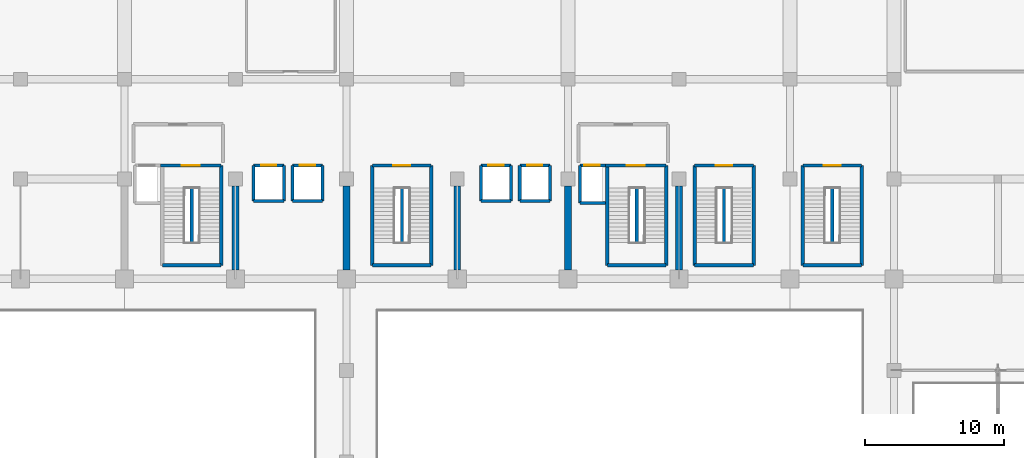
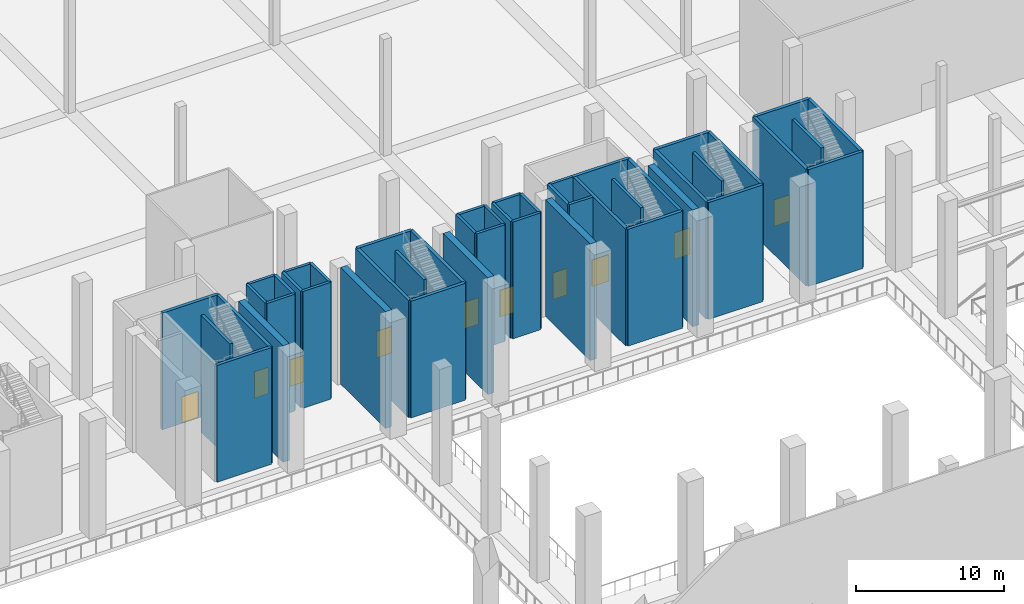
# One storey, part 65 of 80: 48 walls, 10 doors, 10 openings.
"""IFC4 building model written with IfcOpenShell, lengths in metres."""

from ifc_helpers import new_model, si_unit, direction, frame, frame_2d, origin, place, context, subcontext, project, spatial, rectangle, extrude, material, layer, layer_set, type_object, element, fill, save


model = new_model("IFC4")

# Units and contexts
model_context = context("Model", 3, precision=1e-05, world=origin(), true_north=direction((0.0, 1.0)))
body_context = subcontext(model_context, "Body", "Model", "MODEL_VIEW")
ifc_project = project(units=[si_unit("LENGTHUNIT", "METRE"), si_unit("AREAUNIT", "SQUARE_METRE"), si_unit("VOLUMEUNIT", "CUBIC_METRE"), si_unit("PLANEANGLEUNIT", "RADIAN"), si_unit("MASSUNIT", "GRAM", prefix="KILO")], contexts=[model_context])

# Site, building, storey
site_placement = place(None, origin())
site = spatial("IfcSite", under=ifc_project, at=site_placement, CompositionType="ELEMENT")
building_placement = place(site_placement, origin())
building = spatial("IfcBuilding", under=site, at=building_placement, Name="Akrevak Sports Hall", CompositionType="ELEMENT")
storey_placement = place(building_placement, frame((0.0, 0.0, 14.0)))
storey = spatial("IfcBuildingStorey", under=building, at=storey_placement, Name="L03", CompositionType="ELEMENT", Elevation=14.0)

# Walls
ifc_material_1 = material(Name="Concrete C40/50", Category="concrete")
ifc_layer_1 = layer(ifc_material_1, 0.219970703125, Name="Concrete C40/50")
ifc_layer_set_1 = layer_set([ifc_layer_1], Name="Concrete C40/50")
wall_type_1 = type_object("IfcWallType", Name="ARC-WL-PRT-220", PredefinedType="PARTITIONING", material=ifc_layer_set_1)
for number, where, z_axis, x_axis, name in (
    (1, (64.85009765625, 57.81494140625, 0.0), (0.0, 0.0, 1.0), (0.0, 1.0, 0.0), "Stair ST1 Central Spine Wall (L03)"),
    (2, (96.949951171875, 57.81494140625, 0.0), (0.0, 0.0, 1.0), (0.0, 1.0, 0.0), "Stair ST2 Central Spine Wall (L03)"),
    (3, (80.0, 57.81494140625, 0.0), (0.0, 0.0, 1.0), (0.0, 1.0, 0.0), "Stair ST3 Central Spine Wall (L03)"),
    (4, (103.25, 57.81494140625, 0.0), (0.0, 0.0, 1.0), (0.0, 1.0, 0.0), "Stair ST10 Central Spine Wall (L03)"),
    (5, (111.050048828125, 57.81494140625, 0.0), (0.0, 0.0, 1.0), (0.0, 1.0, 0.0), "Stair ST11 Central Spine Wall (L03)"),
):
    element("IfcWall", number, at=place(storey_placement, frame(where, z_axis=z_axis, x_axis=x_axis)), inside=storey, type_object=wall_type_1, Name=name, PredefinedType="PARTITIONING", context=body_context, shape_type="SweptSolid", body=[
        extrude(rectangle(XDim=3.920166015625, YDim=0.219970703125, at=frame_2d((1.9599609375, 0.0))), origin(), (0.0, 0.0, 1.0), 9.64990234375),
    ])
ifc_material_2 = material(Name="Concrete C50/60", Category="concrete")
ifc_layer_2 = layer(ifc_material_2, 0.219970703125, Name="Concrete C50/60")
ifc_layer_set_2 = layer_set([ifc_layer_2], Name="Concrete C50/60")
wall_type_2 = type_object("IfcWallType", Name="ARC-WL-SHAFT-220", PredefinedType="SHEAR", material=ifc_layer_set_2)
wall_1_placement = place(storey_placement, frame((92.860107421875, 60.659912109375, 0.0), z_axis=(0.0, 0.0, 1.0), x_axis=(1.0, 0.0, 0.0)))
element("IfcWall", 6, at=wall_1_placement, inside=storey, type_object=wall_type_2, Name="Lift Shaft LF-FF2 Wall S (L03)", PredefinedType="SHEAR", context=body_context, shape_type="SweptSolid", body=[
    extrude(rectangle(XDim=1.83984375, YDim=0.219970703125, at=frame_2d((0.919921875, 0.0))), origin(), (0.0, 0.0, 1.0), 9.64990234375),
])

# Wall, opening, door
wall_2_placement = place(storey_placement, frame((94.699951171875, 63.389892578125, 0.0), z_axis=(0.0, 0.0, 1.0), x_axis=(-1.0, 0.0, 0.0)))
wall_2 = element("IfcWall", 7, at=wall_2_placement, inside=storey, type_object=wall_type_2, Name="Lift Shaft LF-FF2 Wall N (L03)", PredefinedType="SHEAR", context=body_context, shape_type="SweptSolid", body=[
    extrude(rectangle(XDim=1.83984375, YDim=0.219970703125, at=frame_2d((0.919921875, 0.0))), origin(), (0.0, 0.0, 1.0), 9.64990234375),
])
opening_1_placement = place(wall_2_placement, frame((0.425048828125, 0.0, 0.0)))
opening_1 = element("IfcOpeningElement", 8, at=opening_1_placement, cuts=wall_2, Name="Opening LD-01", PredefinedType="OPENING", context=body_context, shape_type="SweptSolid", body=[
    extrude(rectangle(XDim=1.10009765625, YDim=2.199951171875, at=frame_2d((0.550048828125, 1.10009765625))), frame((0.0, 0.1220703125, 0.0), z_axis=(0.0, -1.0, 0.0), x_axis=(1.0, 0.0, 0.0)), (0.0, 0.0, 1.0), 0.243896484375),
])
ifc_material_3 = material(Name="Brushed Stainless Steel 304", Category="steel")
door_type_1 = type_object("IfcDoorType", Name="ARC-DR-LD-110x220", OperationType="SLIDING_TO_LEFT", PredefinedType="DOOR", material=ifc_material_3)
door_1_placement = place(opening_1_placement, origin())
door_1 = element("IfcDoor", 9, at=door_1_placement, inside=storey, type_object=door_type_1, Name="Lift LF-FF2 Sliding Landing Door (L03)", OperationType="SLIDING_TO_RIGHT", OverallHeight=2.199951171875, OverallWidth=1.10009765625, PredefinedType="DOOR", context=body_context, shape_type="SweptSolid", body=[
    extrude(rectangle(XDim=1.10009765625, YDim=2.199951171875, at=frame_2d((0.550048828125, 1.10009765625))), frame((0.0, 0.02490234375, 0.0), z_axis=(0.0, -1.0, 0.0), x_axis=(1.0, 0.0, 0.0)), (0.0, 0.0, 1.0), 0.050048828125),
])
fill(opening_1, door_1)

# Walls
wall_3_placement = place(storey_placement, frame((92.860107421875, 63.389892578125, 0.0), z_axis=(0.0, 0.0, 1.0), x_axis=(0.0, -1.0, 0.0)))
element("IfcWall", 10, at=wall_3_placement, inside=storey, type_object=wall_type_2, Name="Lift Shaft LF-FF2 Wall W (L03)", PredefinedType="SHEAR", context=body_context, shape_type="SweptSolid", body=[
    extrude(rectangle(XDim=2.72998046875, YDim=0.219970703125, at=frame_2d((1.364990234375, 0.0))), origin(), (0.0, 0.0, 1.0), 9.64990234375),
])
wall_4_placement = place(storey_placement, frame((69.31005859375, 60.81005859375, 0.0), z_axis=(0.0, 0.0, 1.0), x_axis=(1.0, 0.0, 0.0)))
element("IfcWall", 11, at=wall_4_placement, inside=storey, type_object=wall_type_2, Name="Lift Shaft LF-P1 Wall S (L03)", PredefinedType="SHEAR", context=body_context, shape_type="SweptSolid", body=[
    extrude(rectangle(XDim=2.179931640625, YDim=0.219970703125, at=frame_2d((1.08984375, 0.0))), origin(), (0.0, 0.0, 1.0), 9.64990234375),
])

# Wall, opening, door
wall_5_placement = place(storey_placement, frame((71.489990234375, 63.389892578125, 0.0), z_axis=(0.0, 0.0, 1.0), x_axis=(-1.0, 0.0, 0.0)))
wall_5 = element("IfcWall", 12, at=wall_5_placement, inside=storey, type_object=wall_type_2, Name="Lift Shaft LF-P1 Wall N (L03)", PredefinedType="SHEAR", context=body_context, shape_type="SweptSolid", body=[
    extrude(rectangle(XDim=2.179931640625, YDim=0.219970703125, at=frame_2d((1.08984375, 0.0))), origin(), (0.0, 0.0, 1.0), 9.64990234375),
])
opening_2_placement = place(wall_5_placement, frame((0.5400390625, 0.0, 0.0)))
opening_2 = element("IfcOpeningElement", 13, at=opening_2_placement, cuts=wall_5, Name="Opening LD-01", PredefinedType="OPENING", context=body_context, shape_type="SweptSolid", body=[
    extrude(rectangle(XDim=1.10009765625, YDim=2.199951171875, at=frame_2d((0.550048828125, 1.10009765625))), frame((0.0, 0.1220703125, 0.0), z_axis=(0.0, -1.0, 0.0), x_axis=(1.0, 0.0, 0.0)), (0.0, 0.0, 1.0), 0.243896484375),
])
door_2_placement = place(opening_2_placement, origin())
door_2 = element("IfcDoor", 14, at=door_2_placement, inside=storey, type_object=door_type_1, Name="Lift LF-P1 Sliding Landing Door (L03)", OperationType="SLIDING_TO_RIGHT", OverallHeight=2.199951171875, OverallWidth=1.10009765625, PredefinedType="DOOR", context=body_context, shape_type="SweptSolid", body=[
    extrude(rectangle(XDim=1.10009765625, YDim=2.199951171875, at=frame_2d((0.550048828125, 1.10009765625))), frame((0.0, 0.02490234375, 0.0), z_axis=(0.0, -1.0, 0.0), x_axis=(1.0, 0.0, 0.0)), (0.0, 0.0, 1.0), 0.050048828125),
])
fill(opening_2, door_2)

# Walls
for number, where, z_axis, x_axis, name in (
    (15, (69.31005859375, 63.389892578125, 0.0), (0.0, 0.0, 1.0), (0.0, -1.0, 0.0), "Lift Shaft LF-P1 Wall W (L03)"),
    (16, (71.489990234375, 60.81005859375, 0.0), (0.0, 0.0, 1.0), (0.0, 1.0, 0.0), "Lift Shaft LF-P1 Wall E (L03)"),
):
    element("IfcWall", number, at=place(storey_placement, frame(where, z_axis=z_axis, x_axis=x_axis)), inside=storey, type_object=wall_type_2, Name=name, PredefinedType="SHEAR", context=body_context, shape_type="SweptSolid", body=[
        extrude(rectangle(XDim=2.579833984375, YDim=0.219970703125, at=frame_2d((1.2900390625, 0.0))), origin(), (0.0, 0.0, 1.0), 9.64990234375),
    ])
wall_6_placement = place(storey_placement, frame((72.110107421875, 60.81005859375, 0.0), z_axis=(0.0, 0.0, 1.0), x_axis=(1.0, 0.0, 0.0)))
element("IfcWall", 17, at=wall_6_placement, inside=storey, type_object=wall_type_2, Name="Lift Shaft LF-P2 Wall S (L03)", PredefinedType="SHEAR", context=body_context, shape_type="SweptSolid", body=[
    extrude(rectangle(XDim=2.179931640625, YDim=0.219970703125, at=frame_2d((1.08984375, 0.0))), origin(), (0.0, 0.0, 1.0), 9.64990234375),
])

# Wall, opening, door
wall_7_placement = place(storey_placement, frame((74.2900390625, 63.389892578125, 0.0), z_axis=(0.0, 0.0, 1.0), x_axis=(-1.0, 0.0, 0.0)))
wall_7 = element("IfcWall", 18, at=wall_7_placement, inside=storey, type_object=wall_type_2, Name="Lift Shaft LF-P2 Wall N (L03)", PredefinedType="SHEAR", context=body_context, shape_type="SweptSolid", body=[
    extrude(rectangle(XDim=2.179931640625, YDim=0.219970703125, at=frame_2d((1.08984375, 0.0))), origin(), (0.0, 0.0, 1.0), 9.64990234375),
])
opening_3_placement = place(wall_7_placement, frame((0.5400390625, 0.0, 0.0)))
opening_3 = element("IfcOpeningElement", 19, at=opening_3_placement, cuts=wall_7, Name="Opening LD-01", PredefinedType="OPENING", context=body_context, shape_type="SweptSolid", body=[
    extrude(rectangle(XDim=1.10009765625, YDim=2.199951171875, at=frame_2d((0.550048828125, 1.10009765625))), frame((0.0, 0.1220703125, 0.0), z_axis=(0.0, -1.0, 0.0), x_axis=(1.0, 0.0, 0.0)), (0.0, 0.0, 1.0), 0.243896484375),
])
door_3_placement = place(opening_3_placement, origin())
door_3 = element("IfcDoor", 20, at=door_3_placement, inside=storey, type_object=door_type_1, Name="Lift LF-P2 Sliding Landing Door (L03)", OperationType="SLIDING_TO_RIGHT", OverallHeight=2.199951171875, OverallWidth=1.10009765625, PredefinedType="DOOR", context=body_context, shape_type="SweptSolid", body=[
    extrude(rectangle(XDim=1.10009765625, YDim=2.199951171875, at=frame_2d((0.550048828125, 1.10009765625))), frame((0.0, 0.02490234375, 0.0), z_axis=(0.0, -1.0, 0.0), x_axis=(1.0, 0.0, 0.0)), (0.0, 0.0, 1.0), 0.050048828125),
])
fill(opening_3, door_3)

# Walls
for number, where, z_axis, x_axis, name in (
    (21, (72.110107421875, 63.389892578125, 0.0), (0.0, 0.0, 1.0), (0.0, -1.0, 0.0), "Lift Shaft LF-P2 Wall W (L03)"),
    (22, (74.2900390625, 60.81005859375, 0.0), (0.0, 0.0, 1.0), (0.0, 1.0, 0.0), "Lift Shaft LF-P2 Wall E (L03)"),
):
    element("IfcWall", number, at=place(storey_placement, frame(where, z_axis=z_axis, x_axis=x_axis)), inside=storey, type_object=wall_type_2, Name=name, PredefinedType="SHEAR", context=body_context, shape_type="SweptSolid", body=[
        extrude(rectangle(XDim=2.579833984375, YDim=0.219970703125, at=frame_2d((1.2900390625, 0.0))), origin(), (0.0, 0.0, 1.0), 9.64990234375),
    ])
wall_8_placement = place(storey_placement, frame((85.7099609375, 60.81005859375, 0.0), z_axis=(0.0, 0.0, 1.0), x_axis=(1.0, 0.0, 0.0)))
element("IfcWall", 23, at=wall_8_placement, inside=storey, type_object=wall_type_2, Name="Lift Shaft LF-P3 Wall S (L03)", PredefinedType="SHEAR", context=body_context, shape_type="SweptSolid", body=[
    extrude(rectangle(XDim=2.179931640625, YDim=0.219970703125, at=frame_2d((1.08984375, 0.0))), origin(), (0.0, 0.0, 1.0), 9.64990234375),
])

# Wall, opening, door
wall_9_placement = place(storey_placement, frame((87.889892578125, 63.389892578125, 0.0), z_axis=(0.0, 0.0, 1.0), x_axis=(-1.0, 0.0, 0.0)))
wall_9 = element("IfcWall", 24, at=wall_9_placement, inside=storey, type_object=wall_type_2, Name="Lift Shaft LF-P3 Wall N (L03)", PredefinedType="SHEAR", context=body_context, shape_type="SweptSolid", body=[
    extrude(rectangle(XDim=2.179931640625, YDim=0.219970703125, at=frame_2d((1.08984375, 0.0))), origin(), (0.0, 0.0, 1.0), 9.64990234375),
])
opening_4_placement = place(wall_9_placement, frame((0.5400390625, 0.0, 0.0)))
opening_4 = element("IfcOpeningElement", 25, at=opening_4_placement, cuts=wall_9, Name="Opening LD-01", PredefinedType="OPENING", context=body_context, shape_type="SweptSolid", body=[
    extrude(rectangle(XDim=1.10009765625, YDim=2.199951171875, at=frame_2d((0.550048828125, 1.10009765625))), frame((0.0, 0.1220703125, 0.0), z_axis=(0.0, -1.0, 0.0), x_axis=(1.0, 0.0, 0.0)), (0.0, 0.0, 1.0), 0.243896484375),
])
door_4_placement = place(opening_4_placement, origin())
door_4 = element("IfcDoor", 26, at=door_4_placement, inside=storey, type_object=door_type_1, Name="Lift LF-P3 Sliding Landing Door (L03)", OperationType="SLIDING_TO_RIGHT", OverallHeight=2.199951171875, OverallWidth=1.10009765625, PredefinedType="DOOR", context=body_context, shape_type="SweptSolid", body=[
    extrude(rectangle(XDim=1.10009765625, YDim=2.199951171875, at=frame_2d((0.550048828125, 1.10009765625))), frame((0.0, 0.02490234375, 0.0), z_axis=(0.0, -1.0, 0.0), x_axis=(1.0, 0.0, 0.0)), (0.0, 0.0, 1.0), 0.050048828125),
])
fill(opening_4, door_4)

# Walls
for number, where, z_axis, x_axis, name in (
    (27, (85.7099609375, 63.389892578125, 0.0), (0.0, 0.0, 1.0), (0.0, -1.0, 0.0), "Lift Shaft LF-P3 Wall W (L03)"),
    (28, (87.889892578125, 60.81005859375, 0.0), (0.0, 0.0, 1.0), (0.0, 1.0, 0.0), "Lift Shaft LF-P3 Wall E (L03)"),
):
    element("IfcWall", number, at=place(storey_placement, frame(where, z_axis=z_axis, x_axis=x_axis)), inside=storey, type_object=wall_type_2, Name=name, PredefinedType="SHEAR", context=body_context, shape_type="SweptSolid", body=[
        extrude(rectangle(XDim=2.579833984375, YDim=0.219970703125, at=frame_2d((1.2900390625, 0.0))), origin(), (0.0, 0.0, 1.0), 9.64990234375),
    ])
wall_10_placement = place(storey_placement, frame((88.510009765625, 60.81005859375, 0.0), z_axis=(0.0, 0.0, 1.0), x_axis=(1.0, 0.0, 0.0)))
element("IfcWall", 29, at=wall_10_placement, inside=storey, type_object=wall_type_2, Name="Lift Shaft LF-P4 Wall S (L03)", PredefinedType="SHEAR", context=body_context, shape_type="SweptSolid", body=[
    extrude(rectangle(XDim=2.179931640625, YDim=0.219970703125, at=frame_2d((1.08984375, 0.0))), origin(), (0.0, 0.0, 1.0), 9.64990234375),
])

# Wall, opening, door
wall_11_placement = place(storey_placement, frame((90.68994140625, 63.389892578125, 0.0), z_axis=(0.0, 0.0, 1.0), x_axis=(-1.0, 0.0, 0.0)))
wall_11 = element("IfcWall", 30, at=wall_11_placement, inside=storey, type_object=wall_type_2, Name="Lift Shaft LF-P4 Wall N (L03)", PredefinedType="SHEAR", context=body_context, shape_type="SweptSolid", body=[
    extrude(rectangle(XDim=2.179931640625, YDim=0.219970703125, at=frame_2d((1.08984375, 0.0))), origin(), (0.0, 0.0, 1.0), 9.64990234375),
])
opening_5_placement = place(wall_11_placement, frame((0.5400390625, 0.0, 0.0)))
opening_5 = element("IfcOpeningElement", 31, at=opening_5_placement, cuts=wall_11, Name="Opening LD-01", PredefinedType="OPENING", context=body_context, shape_type="SweptSolid", body=[
    extrude(rectangle(XDim=1.10009765625, YDim=2.199951171875, at=frame_2d((0.550048828125, 1.10009765625))), frame((0.0, 0.1220703125, 0.0), z_axis=(0.0, -1.0, 0.0), x_axis=(1.0, 0.0, 0.0)), (0.0, 0.0, 1.0), 0.243896484375),
])
door_5_placement = place(opening_5_placement, origin())
door_5 = element("IfcDoor", 32, at=door_5_placement, inside=storey, type_object=door_type_1, Name="Lift LF-P4 Sliding Landing Door (L03)", OperationType="SLIDING_TO_RIGHT", OverallHeight=2.199951171875, OverallWidth=1.10009765625, PredefinedType="DOOR", context=body_context, shape_type="SweptSolid", body=[
    extrude(rectangle(XDim=1.10009765625, YDim=2.199951171875, at=frame_2d((0.550048828125, 1.10009765625))), frame((0.0, 0.02490234375, 0.0), z_axis=(0.0, -1.0, 0.0), x_axis=(1.0, 0.0, 0.0)), (0.0, 0.0, 1.0), 0.050048828125),
])
fill(opening_5, door_5)

# Walls
for number, where, z_axis, x_axis, name in (
    (33, (88.510009765625, 63.389892578125, 0.0), (0.0, 0.0, 1.0), (0.0, -1.0, 0.0), "Lift Shaft LF-P4 Wall W (L03)"),
    (34, (90.68994140625, 60.81005859375, 0.0), (0.0, 0.0, 1.0), (0.0, 1.0, 0.0), "Lift Shaft LF-P4 Wall E (L03)"),
):
    element("IfcWall", number, at=place(storey_placement, frame(where, z_axis=z_axis, x_axis=x_axis)), inside=storey, type_object=wall_type_2, Name=name, PredefinedType="SHEAR", context=body_context, shape_type="SweptSolid", body=[
        extrude(rectangle(XDim=2.579833984375, YDim=0.219970703125, at=frame_2d((1.2900390625, 0.0))), origin(), (0.0, 0.0, 1.0), 9.64990234375),
    ])
ifc_layer_3 = layer(ifc_material_2, 0.5, Name="Concrete C50/60")
ifc_layer_set_3 = layer_set([ifc_layer_3], Name="Concrete C50/60")
wall_type_3 = type_object("IfcWallType", Name="STR-WL-CORE-500", PredefinedType="SHEAR", material=ifc_layer_set_3)
for number, where, z_axis, x_axis, name in (
    (35, (68.0, 55.85009765625, 0.0), (0.0, 0.0, 1.0), (0.0, 1.0, 0.0), "Reinforced Concrete Shear Wall SW-C1 (L03)"),
    (36, (76.0, 55.85009765625, 0.0), (0.0, 0.0, 1.0), (0.0, 1.0, 0.0), "Reinforced Concrete Shear Wall SW-W1 (L03)"),
    (37, (84.0, 55.85009765625, 0.0), (0.0, 0.0, 1.0), (0.0, 1.0, 0.0), "Reinforced Concrete Shear Wall SW-C2 (L03)"),
    (38, (92.0, 55.85009765625, 0.0), (0.0, 0.0, 1.0), (0.0, 1.0, 0.0), "Reinforced Concrete Shear Wall SW-E1 (L03)"),
    (39, (100.0, 55.85009765625, 0.0), (0.0, 0.0, 1.0), (0.0, 1.0, 0.0), "Reinforced Concrete Shear Wall SW-E2 (L03)"),
):
    element("IfcWall", number, at=place(storey_placement, frame(where, z_axis=z_axis, x_axis=x_axis)), inside=storey, type_object=wall_type_3, Name=name, PredefinedType="SHEAR", context=body_context, shape_type="SweptSolid", body=[
        extrude(rectangle(XDim=6.0498046875, YDim=0.5, at=frame_2d((3.02490234375, 0.0))), origin(), (0.0, 0.0, 1.0), 9.64990234375),
    ])
ifc_layer_4 = layer(ifc_material_2, 0.25, Name="Concrete C50/60")
ifc_layer_set_4 = layer_set([ifc_layer_4], Name="Concrete C50/60")
wall_type_4 = type_object("IfcWallType", Name="STR-WL-STAIR-250", PredefinedType="SHEAR", material=ifc_layer_set_4)
wall_12_placement = place(storey_placement, frame((62.72509765625, 56.175048828125, 0.0), z_axis=(0.0, 0.0, 1.0), x_axis=(1.0, 0.0, 0.0)))
element("IfcWall", 40, at=wall_12_placement, inside=storey, type_object=wall_type_4, Name="Stair Core ST1 Shear Wall S (L03)", PredefinedType="SHEAR", context=body_context, shape_type="SweptSolid", body=[
    extrude(rectangle(XDim=4.25, YDim=0.25, at=frame_2d((2.125, 0.0))), origin(), (0.0, 0.0, 1.0), 9.64990234375),
])

# Wall, opening, door
wall_13_placement = place(storey_placement, frame((66.97509765625, 63.375, 0.0), z_axis=(0.0, 0.0, 1.0), x_axis=(-1.0, 0.0, 0.0)))
wall_13 = element("IfcWall", 41, at=wall_13_placement, inside=storey, type_object=wall_type_4, Name="Stair Core ST1 Shear Wall N (L03)", PredefinedType="SHEAR", context=body_context, shape_type="SweptSolid", body=[
    extrude(rectangle(XDim=4.375, YDim=0.25, at=frame_2d((2.1875, 0.0))), origin(), (0.0, 0.0, 1.0), 9.64990234375),
])
opening_6_placement = place(wall_13_placement, frame((1.53759765625, 0.0, 0.0)))
opening_6 = element("IfcOpeningElement", 42, at=opening_6_placement, cuts=wall_13, Name="Opening SD-01", PredefinedType="OPENING", context=body_context, shape_type="SweptSolid", body=[
    extrude(rectangle(XDim=1.300048828125, YDim=2.199951171875, at=frame_2d((0.64990234375, 1.10009765625))), frame((0.0, 0.136962890625, 0.0), z_axis=(0.0, -1.0, 0.0), x_axis=(1.0, 0.0, 0.0)), (0.0, 0.0, 1.0), 0.27392578125),
])
ifc_material_4 = material(Name="Fire-Rated Galvanized Door Steel", Category="steel")
door_type_2 = type_object("IfcDoorType", Name="ARC-DR-STAIR-130x220", OperationType="NOTDEFINED", PredefinedType="DOOR", material=ifc_material_4)
door_6_placement = place(opening_6_placement, origin())
door_6 = element("IfcDoor", 43, at=door_6_placement, inside=storey, type_object=door_type_2, Name="Exit Stair ST1 Door (L03)", OperationType="SINGLE_SWING_LEFT", OverallHeight=2.199951171875, OverallWidth=1.300048828125, PredefinedType="DOOR", context=body_context, shape_type="SweptSolid", body=[
    extrude(rectangle(XDim=1.300048828125, YDim=2.199951171875, at=frame_2d((0.64990234375, 1.10009765625))), frame((0.0, 0.02490234375, 0.0), z_axis=(0.0, -1.0, 0.0), x_axis=(1.0, 0.0, 0.0)), (0.0, 0.0, 1.0), 0.050048828125),
])
fill(opening_6, door_6)

# Walls
wall_14_placement = place(storey_placement, frame((66.97509765625, 56.175048828125, 0.0), z_axis=(0.0, 0.0, 1.0), x_axis=(0.0, 1.0, 0.0)))
element("IfcWall", 44, at=wall_14_placement, inside=storey, type_object=wall_type_4, Name="Stair Core ST1 Shear Wall E (L03)", PredefinedType="SHEAR", context=body_context, shape_type="SweptSolid", body=[
    extrude(rectangle(XDim=7.199951171875, YDim=0.25, at=frame_2d((3.60009765625, 0.0))), origin(), (0.0, 0.0, 1.0), 9.64990234375),
])
wall_15_placement = place(storey_placement, frame((94.824951171875, 56.175048828125, 0.0), z_axis=(0.0, 0.0, 1.0), x_axis=(1.0, 0.0, 0.0)))
element("IfcWall", 45, at=wall_15_placement, inside=storey, type_object=wall_type_4, Name="Stair Core ST2 Shear Wall S (L03)", PredefinedType="SHEAR", context=body_context, shape_type="SweptSolid", body=[
    extrude(rectangle(XDim=4.25, YDim=0.25, at=frame_2d((2.125, 0.0))), origin(), (0.0, 0.0, 1.0), 9.64990234375),
])

# Wall, opening, door
wall_16_placement = place(storey_placement, frame((99.074951171875, 63.375, 0.0), z_axis=(0.0, 0.0, 1.0), x_axis=(-1.0, 0.0, 0.0)))
wall_16 = element("IfcWall", 46, at=wall_16_placement, inside=storey, type_object=wall_type_4, Name="Stair Core ST2 Shear Wall N (L03)", PredefinedType="SHEAR", context=body_context, shape_type="SweptSolid", body=[
    extrude(rectangle(XDim=4.375, YDim=0.25, at=frame_2d((2.1875, 0.0))), origin(), (0.0, 0.0, 1.0), 9.64990234375),
])
opening_7_placement = place(wall_16_placement, frame((1.53759765625, 0.0, 0.0)))
opening_7 = element("IfcOpeningElement", 47, at=opening_7_placement, cuts=wall_16, Name="Opening SD-01", PredefinedType="OPENING", context=body_context, shape_type="SweptSolid", body=[
    extrude(rectangle(XDim=1.300048828125, YDim=2.199951171875, at=frame_2d((0.64990234375, 1.10009765625))), frame((0.0, 0.136962890625, 0.0), z_axis=(0.0, -1.0, 0.0), x_axis=(1.0, 0.0, 0.0)), (0.0, 0.0, 1.0), 0.27392578125),
])
door_7_placement = place(opening_7_placement, origin())
door_7 = element("IfcDoor", 48, at=door_7_placement, inside=storey, type_object=door_type_2, Name="Exit Stair ST2 Door (L03)", OperationType="SINGLE_SWING_RIGHT", OverallHeight=2.199951171875, OverallWidth=1.300048828125, PredefinedType="DOOR", context=body_context, shape_type="SweptSolid", body=[
    extrude(rectangle(XDim=1.300048828125, YDim=2.199951171875, at=frame_2d((0.64990234375, 1.10009765625))), frame((0.0, 0.02490234375, 0.0), z_axis=(0.0, -1.0, 0.0), x_axis=(1.0, 0.0, 0.0)), (0.0, 0.0, 1.0), 0.050048828125),
])
fill(opening_7, door_7)

# Walls
wall_17_placement = place(storey_placement, frame((94.824951171875, 63.25, 0.0), z_axis=(0.0, 0.0, 1.0), x_axis=(0.0, -1.0, 0.0)))
element("IfcWall", 49, at=wall_17_placement, inside=storey, type_object=wall_type_4, Name="Stair Core ST2 Shear Wall W (L03)", PredefinedType="SHEAR", context=body_context, shape_type="SweptSolid", body=[
    extrude(rectangle(XDim=7.074951171875, YDim=0.25, at=frame_2d((3.53759765625, 0.0))), origin(), (0.0, 0.0, 1.0), 9.64990234375),
])
wall_18_placement = place(storey_placement, frame((99.074951171875, 56.175048828125, 0.0), z_axis=(0.0, 0.0, 1.0), x_axis=(0.0, 1.0, 0.0)))
element("IfcWall", 50, at=wall_18_placement, inside=storey, type_object=wall_type_4, Name="Stair Core ST2 Shear Wall E (L03)", PredefinedType="SHEAR", context=body_context, shape_type="SweptSolid", body=[
    extrude(rectangle(XDim=7.199951171875, YDim=0.25, at=frame_2d((3.60009765625, 0.0))), origin(), (0.0, 0.0, 1.0), 9.64990234375),
])
wall_19_placement = place(storey_placement, frame((77.875, 56.175048828125, 0.0), z_axis=(0.0, 0.0, 1.0), x_axis=(1.0, 0.0, 0.0)))
element("IfcWall", 51, at=wall_19_placement, inside=storey, type_object=wall_type_4, Name="Stair Core ST3 Shear Wall S (L03)", PredefinedType="SHEAR", context=body_context, shape_type="SweptSolid", body=[
    extrude(rectangle(XDim=4.25, YDim=0.25, at=frame_2d((2.125, 0.0))), origin(), (0.0, 0.0, 1.0), 9.64990234375),
])

# Wall, opening, door
wall_20_placement = place(storey_placement, frame((82.125, 63.375, 0.0), z_axis=(0.0, 0.0, 1.0), x_axis=(-1.0, 0.0, 0.0)))
wall_20 = element("IfcWall", 52, at=wall_20_placement, inside=storey, type_object=wall_type_4, Name="Stair Core ST3 Shear Wall N (L03)", PredefinedType="SHEAR", context=body_context, shape_type="SweptSolid", body=[
    extrude(rectangle(XDim=4.25, YDim=0.25, at=frame_2d((2.125, 0.0))), origin(), (0.0, 0.0, 1.0), 9.64990234375),
])
opening_8_placement = place(wall_20_placement, frame((1.52490234375, 0.0, 0.0)))
opening_8 = element("IfcOpeningElement", 53, at=opening_8_placement, cuts=wall_20, Name="Opening SD-02", PredefinedType="OPENING", context=body_context, shape_type="SweptSolid", body=[
    extrude(rectangle(XDim=1.199951171875, YDim=2.199951171875, at=frame_2d((0.60009765625, 1.10009765625))), frame((0.0, 0.136962890625, 0.0), z_axis=(0.0, -1.0, 0.0), x_axis=(1.0, 0.0, 0.0)), (0.0, 0.0, 1.0), 0.27392578125),
])
door_type_3 = type_object("IfcDoorType", Name="ARC-DR-STAIR-120x220", OperationType="NOTDEFINED", PredefinedType="DOOR", material=ifc_material_4)
door_8_placement = place(opening_8_placement, origin())
door_8 = element("IfcDoor", 54, at=door_8_placement, inside=storey, type_object=door_type_3, Name="Exit Stair ST3 Door (L03)", OperationType="SINGLE_SWING_LEFT", OverallHeight=2.199951171875, OverallWidth=1.199951171875, PredefinedType="DOOR", context=body_context, shape_type="SweptSolid", body=[
    extrude(rectangle(XDim=1.199951171875, YDim=2.199951171875, at=frame_2d((0.60009765625, 1.10009765625))), frame((0.0, 0.02490234375, 0.0), z_axis=(0.0, -1.0, 0.0), x_axis=(1.0, 0.0, 0.0)), (0.0, 0.0, 1.0), 0.050048828125),
])
fill(opening_8, door_8)

# Walls
for number, where, z_axis, x_axis, name in (
    (55, (77.875, 63.375, 0.0), (0.0, 0.0, 1.0), (0.0, -1.0, 0.0), "Stair Core ST3 Shear Wall W (L03)"),
    (56, (82.125, 56.175048828125, 0.0), (0.0, 0.0, 1.0), (0.0, 1.0, 0.0), "Stair Core ST3 Shear Wall E (L03)"),
):
    element("IfcWall", number, at=place(storey_placement, frame(where, z_axis=z_axis, x_axis=x_axis)), inside=storey, type_object=wall_type_4, Name=name, PredefinedType="SHEAR", context=body_context, shape_type="SweptSolid", body=[
        extrude(rectangle(XDim=7.199951171875, YDim=0.25, at=frame_2d((3.60009765625, 0.0))), origin(), (0.0, 0.0, 1.0), 9.64990234375),
    ])
wall_21_placement = place(storey_placement, frame((101.125, 56.175048828125, 0.0), z_axis=(0.0, 0.0, 1.0), x_axis=(1.0, 0.0, 0.0)))
element("IfcWall", 57, at=wall_21_placement, inside=storey, type_object=wall_type_4, Name="Stair Core ST10 Shear Wall S (L03)", PredefinedType="SHEAR", context=body_context, shape_type="SweptSolid", body=[
    extrude(rectangle(XDim=4.25, YDim=0.25, at=frame_2d((2.125, 0.0))), origin(), (0.0, 0.0, 1.0), 9.64990234375),
])

# Wall, opening, door
wall_22_placement = place(storey_placement, frame((105.375, 63.375, 0.0), z_axis=(0.0, 0.0, 1.0), x_axis=(-1.0, 0.0, 0.0)))
wall_22 = element("IfcWall", 58, at=wall_22_placement, inside=storey, type_object=wall_type_4, Name="Stair Core ST10 Shear Wall N (L03)", PredefinedType="SHEAR", context=body_context, shape_type="SweptSolid", body=[
    extrude(rectangle(XDim=4.25, YDim=0.25, at=frame_2d((2.125, 0.0))), origin(), (0.0, 0.0, 1.0), 9.64990234375),
])
opening_9_placement = place(wall_22_placement, frame((1.52490234375, 0.0, 0.0)))
opening_9 = element("IfcOpeningElement", 59, at=opening_9_placement, cuts=wall_22, Name="Opening SD-02", PredefinedType="OPENING", context=body_context, shape_type="SweptSolid", body=[
    extrude(rectangle(XDim=1.199951171875, YDim=2.199951171875, at=frame_2d((0.60009765625, 1.10009765625))), frame((0.0, 0.136962890625, 0.0), z_axis=(0.0, -1.0, 0.0), x_axis=(1.0, 0.0, 0.0)), (0.0, 0.0, 1.0), 0.27392578125),
])
door_9_placement = place(opening_9_placement, origin())
door_9 = element("IfcDoor", 60, at=door_9_placement, inside=storey, type_object=door_type_3, Name="Exit Stair ST10 Door (L03)", OperationType="SINGLE_SWING_RIGHT", OverallHeight=2.199951171875, OverallWidth=1.199951171875, PredefinedType="DOOR", context=body_context, shape_type="SweptSolid", body=[
    extrude(rectangle(XDim=1.199951171875, YDim=2.199951171875, at=frame_2d((0.60009765625, 1.10009765625))), frame((0.0, 0.02490234375, 0.0), z_axis=(0.0, -1.0, 0.0), x_axis=(1.0, 0.0, 0.0)), (0.0, 0.0, 1.0), 0.050048828125),
])
fill(opening_9, door_9)

# Walls
for number, where, z_axis, x_axis, name in (
    (61, (101.125, 63.375, 0.0), (0.0, 0.0, 1.0), (0.0, -1.0, 0.0), "Stair Core ST10 Shear Wall W (L03)"),
    (62, (105.375, 56.175048828125, 0.0), (0.0, 0.0, 1.0), (0.0, 1.0, 0.0), "Stair Core ST10 Shear Wall E (L03)"),
):
    element("IfcWall", number, at=place(storey_placement, frame(where, z_axis=z_axis, x_axis=x_axis)), inside=storey, type_object=wall_type_4, Name=name, PredefinedType="SHEAR", context=body_context, shape_type="SweptSolid", body=[
        extrude(rectangle(XDim=7.199951171875, YDim=0.25, at=frame_2d((3.60009765625, 0.0))), origin(), (0.0, 0.0, 1.0), 9.64990234375),
    ])
wall_23_placement = place(storey_placement, frame((108.925048828125, 56.175048828125, 0.0), z_axis=(0.0, 0.0, 1.0), x_axis=(1.0, 0.0, 0.0)))
element("IfcWall", 63, at=wall_23_placement, inside=storey, type_object=wall_type_4, Name="Stair Core ST11 Shear Wall S (L03)", PredefinedType="SHEAR", context=body_context, shape_type="SweptSolid", body=[
    extrude(rectangle(XDim=4.25, YDim=0.25, at=frame_2d((2.125, 0.0))), origin(), (0.0, 0.0, 1.0), 9.64990234375),
])

# Wall, opening, door
wall_24_placement = place(storey_placement, frame((113.175048828125, 63.375, 0.0), z_axis=(0.0, 0.0, 1.0), x_axis=(-1.0, 0.0, 0.0)))
wall_24 = element("IfcWall", 64, at=wall_24_placement, inside=storey, type_object=wall_type_4, Name="Stair Core ST11 Shear Wall N (L03)", PredefinedType="SHEAR", context=body_context, shape_type="SweptSolid", body=[
    extrude(rectangle(XDim=4.25, YDim=0.25, at=frame_2d((2.125, 0.0))), origin(), (0.0, 0.0, 1.0), 9.64990234375),
])
opening_10_placement = place(wall_24_placement, frame((1.52490234375, 0.0, 0.0)))
opening_10 = element("IfcOpeningElement", 65, at=opening_10_placement, cuts=wall_24, Name="Opening SD-02", PredefinedType="OPENING", context=body_context, shape_type="SweptSolid", body=[
    extrude(rectangle(XDim=1.199951171875, YDim=2.199951171875, at=frame_2d((0.60009765625, 1.10009765625))), frame((0.0, 0.136962890625, 0.0), z_axis=(0.0, -1.0, 0.0), x_axis=(1.0, 0.0, 0.0)), (0.0, 0.0, 1.0), 0.27392578125),
])
door_10_placement = place(opening_10_placement, origin())
door_10 = element("IfcDoor", 66, at=door_10_placement, inside=storey, type_object=door_type_3, Name="Exit Stair ST11 Door (L03)", OperationType="SINGLE_SWING_LEFT", OverallHeight=2.199951171875, OverallWidth=1.199951171875, PredefinedType="DOOR", context=body_context, shape_type="SweptSolid", body=[
    extrude(rectangle(XDim=1.199951171875, YDim=2.199951171875, at=frame_2d((0.60009765625, 1.10009765625))), frame((0.0, 0.02490234375, 0.0), z_axis=(0.0, -1.0, 0.0), x_axis=(1.0, 0.0, 0.0)), (0.0, 0.0, 1.0), 0.050048828125),
])
fill(opening_10, door_10)

# Walls
for number, where, z_axis, x_axis, name in (
    (67, (108.925048828125, 63.375, 0.0), (0.0, 0.0, 1.0), (0.0, -1.0, 0.0), "Stair Core ST11 Shear Wall W (L03)"),
    (68, (113.175048828125, 56.175048828125, 0.0), (0.0, 0.0, 1.0), (0.0, 1.0, 0.0), "Stair Core ST11 Shear Wall E (L03)"),
):
    element("IfcWall", number, at=place(storey_placement, frame(where, z_axis=z_axis, x_axis=x_axis)), inside=storey, type_object=wall_type_4, Name=name, PredefinedType="SHEAR", context=body_context, shape_type="SweptSolid", body=[
        extrude(rectangle(XDim=7.199951171875, YDim=0.25, at=frame_2d((3.60009765625, 0.0))), origin(), (0.0, 0.0, 1.0), 9.64990234375),
    ])

save(model, "model.ifc")
